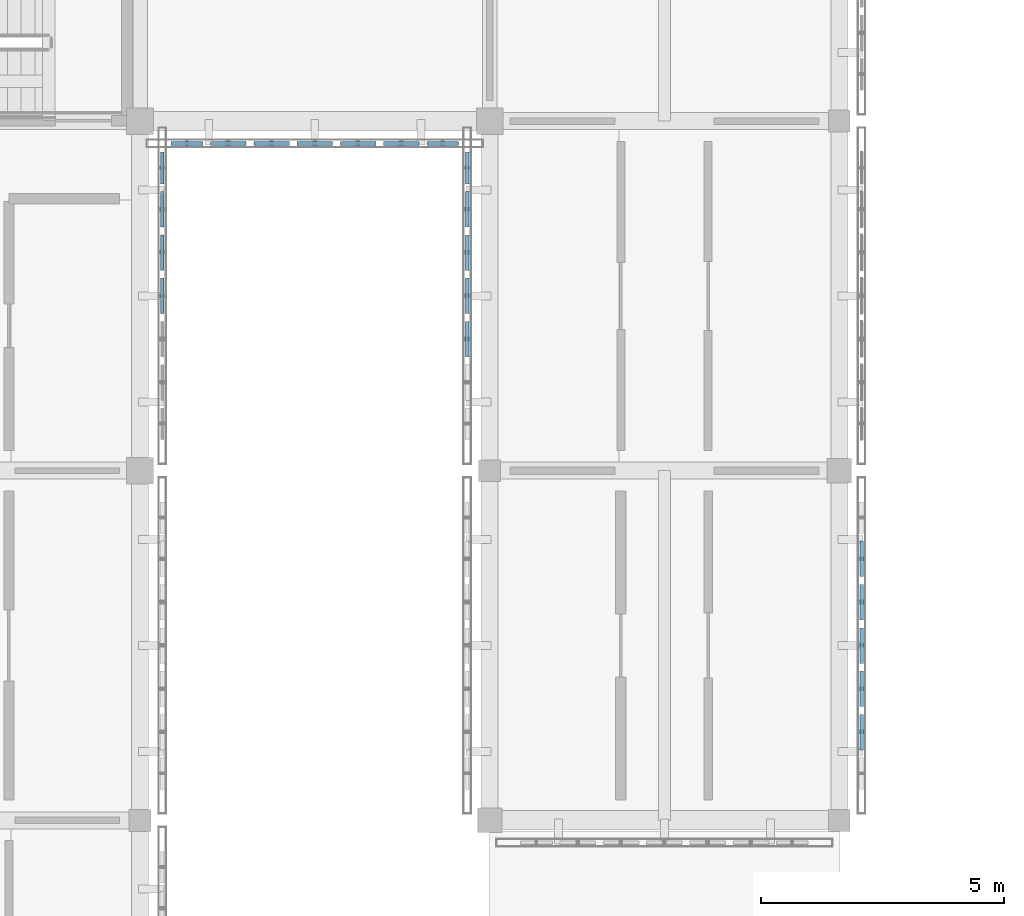
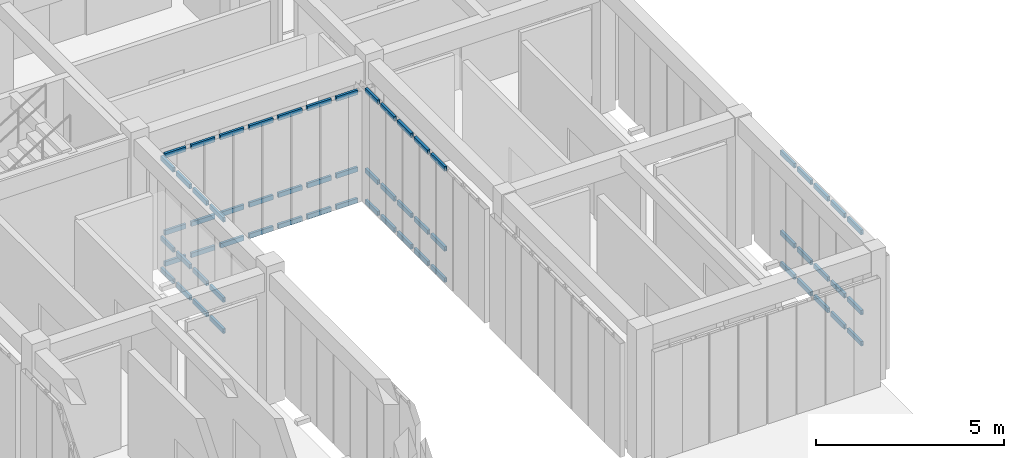
# One storey, part 19 of 91: 63 members, 4 elements without a shape of their own.
"""IFC4 building model written with IfcOpenShell, lengths in metres."""

from ifc_helpers import new_model, si_unit, direction, frame, origin, origin_2d, place, context, subcontext, project, spatial, hollow_rectangle, extrude, material, material_profile, profile_set, type_object, element, aggregate, save


model = new_model("IFC4")

# Units and contexts
model_context = context("Model", 3, precision=1e-05, world=origin(), true_north=direction((0.0, 1.0)))
body_context = subcontext(model_context, "Body", "Model", "MODEL_VIEW")
ifc_project = project(units=[si_unit("LENGTHUNIT", "METRE"), si_unit("AREAUNIT", "SQUARE_METRE"), si_unit("VOLUMEUNIT", "CUBIC_METRE"), si_unit("PLANEANGLEUNIT", "RADIAN"), si_unit("MASSUNIT", "GRAM", prefix="KILO")], contexts=[model_context])

# Site, building, storey
site_placement = place(None, origin())
site = spatial("IfcSite", under=ifc_project, at=site_placement, CompositionType="ELEMENT")
building_placement = place(site_placement, origin())
building = spatial("IfcBuilding", under=site, at=building_placement, Name="Aldebral Square Health Centre", CompositionType="ELEMENT")
storey_placement = place(building_placement, frame((0.0, 0.0, 9.0)))
storey = spatial("IfcBuildingStorey", under=building, at=storey_placement, Name="L02", CompositionType="ELEMENT", Elevation=9.0)

# Curtain wall, members
ifc_material_1 = material(Name="Aluminium and low-E solar glass", Category="aluminium")
curtain_wall_type = type_object("IfcCurtainWallType", Name="CW-FIN-SYS", PredefinedType="USERDEFINED", material=ifc_material_1)
curtain_wall_1_placement = place(storey_placement, origin())
curtain_wall_1 = element("IfcCurtainWall", 1, at=curtain_wall_1_placement, inside=storey, type_object=curtain_wall_type, Name="L02 V6 finned curtain wall L02-V6-00-03-E", ObjectType="SOLAR_CURTAIN_WALL", PredefinedType="USERDEFINED")
ifc_material_2 = material(Name="Anodised aluminium transom", Category="aluminium")
ifc_material_profile = material_profile(ifc_material_2, hollow_rectangle(XDim=0.074951171875, YDim=0.14990234375, WallThickness=0.00390625, at=origin_2d()), Name="CWT 75x150x4")
ifc_profile_set = profile_set([ifc_material_profile], Name="Anodised aluminium transom")
member_type = type_object("IfcMemberType", Name="CWT-STD", PredefinedType="USERDEFINED", material=ifc_profile_set)
member_1_placement = place(storey_placement, frame((7.659912109375, 24.834228515625, 0.03759765625), z_axis=(0.0, 1.0, 0.0), x_axis=(-1.0, 0.0, 0.0)))
member_1 = element("IfcMember", 2, at=member_1_placement, type_object=member_type, Name="CW1 transom 4.1", ObjectType="TRANSOM", PredefinedType="USERDEFINED", context=body_context, shape_type="SweptSolid", body=[
    extrude(hollow_rectangle(XDim=0.074951171875, YDim=0.14990234375, WallThickness=0.00390625, at=origin_2d()), origin(), (0.0, 0.0, 1.0), 0.7314453125),
])
member_2_placement = place(storey_placement, frame((7.659912109375, 24.834228515625, 1.050048828125), z_axis=(0.0, 1.0, 0.0), x_axis=(-1.0, 0.0, 0.0)))
member_2 = element("IfcMember", 3, at=member_2_placement, type_object=member_type, Name="CW1 transom 4.2", ObjectType="TRANSOM", PredefinedType="USERDEFINED", context=body_context, shape_type="SweptSolid", body=[
    extrude(hollow_rectangle(XDim=0.074951171875, YDim=0.14990234375, WallThickness=0.00390625, at=origin_2d()), origin(), (0.0, 0.0, 1.0), 0.7314453125),
])
member_3_placement = place(storey_placement, frame((7.659912109375, 24.834228515625, 3.652587890625), z_axis=(0.0, 1.0, 0.0), x_axis=(-1.0, 0.0, 0.0)))
member_3 = element("IfcMember", 4, at=member_3_placement, type_object=member_type, Name="CW1 transom 4.3", ObjectType="TRANSOM", PredefinedType="USERDEFINED", context=body_context, shape_type="SweptSolid", body=[
    extrude(hollow_rectangle(XDim=0.074951171875, YDim=0.14990234375, WallThickness=0.00390625, at=origin_2d()), origin(), (0.0, 0.0, 1.0), 0.7314453125),
])
member_4_placement = place(storey_placement, frame((7.659912109375, 25.725830078125, 0.03759765625), z_axis=(0.0, 1.0, 0.0), x_axis=(-1.0, 0.0, 0.0)))
member_4 = element("IfcMember", 5, at=member_4_placement, type_object=member_type, Name="CW1 transom 5.1", ObjectType="TRANSOM", PredefinedType="USERDEFINED", context=body_context, shape_type="SweptSolid", body=[
    extrude(hollow_rectangle(XDim=0.074951171875, YDim=0.14990234375, WallThickness=0.00390625, at=origin_2d()), origin(), (0.0, 0.0, 1.0), 0.731201171875),
])
member_5_placement = place(storey_placement, frame((7.659912109375, 25.725830078125, 1.050048828125), z_axis=(0.0, 1.0, 0.0), x_axis=(-1.0, 0.0, 0.0)))
member_5 = element("IfcMember", 6, at=member_5_placement, type_object=member_type, Name="CW1 transom 5.2", ObjectType="TRANSOM", PredefinedType="USERDEFINED", context=body_context, shape_type="SweptSolid", body=[
    extrude(hollow_rectangle(XDim=0.074951171875, YDim=0.14990234375, WallThickness=0.00390625, at=origin_2d()), origin(), (0.0, 0.0, 1.0), 0.731201171875),
])
member_6_placement = place(storey_placement, frame((7.659912109375, 25.725830078125, 3.652587890625), z_axis=(0.0, 1.0, 0.0), x_axis=(-1.0, 0.0, 0.0)))
member_6 = element("IfcMember", 7, at=member_6_placement, type_object=member_type, Name="CW1 transom 5.3", ObjectType="TRANSOM", PredefinedType="USERDEFINED", context=body_context, shape_type="SweptSolid", body=[
    extrude(hollow_rectangle(XDim=0.074951171875, YDim=0.14990234375, WallThickness=0.00390625, at=origin_2d()), origin(), (0.0, 0.0, 1.0), 0.731201171875),
])
member_7_placement = place(storey_placement, frame((7.659912109375, 26.6171875, 0.03759765625), z_axis=(0.0, 1.0, 0.0), x_axis=(-1.0, 0.0, 0.0)))
member_7 = element("IfcMember", 8, at=member_7_placement, type_object=member_type, Name="CW1 transom 6.1", ObjectType="TRANSOM", PredefinedType="USERDEFINED", context=body_context, shape_type="SweptSolid", body=[
    extrude(hollow_rectangle(XDim=0.074951171875, YDim=0.14990234375, WallThickness=0.00390625, at=origin_2d()), origin(), (0.0, 0.0, 1.0), 0.7314453125),
])
member_8_placement = place(storey_placement, frame((7.659912109375, 26.6171875, 1.050048828125), z_axis=(0.0, 1.0, 0.0), x_axis=(-1.0, 0.0, 0.0)))
member_8 = element("IfcMember", 9, at=member_8_placement, type_object=member_type, Name="CW1 transom 6.2", ObjectType="TRANSOM", PredefinedType="USERDEFINED", context=body_context, shape_type="SweptSolid", body=[
    extrude(hollow_rectangle(XDim=0.074951171875, YDim=0.14990234375, WallThickness=0.00390625, at=origin_2d()), origin(), (0.0, 0.0, 1.0), 0.7314453125),
])
member_9_placement = place(storey_placement, frame((7.659912109375, 26.6171875, 3.652587890625), z_axis=(0.0, 1.0, 0.0), x_axis=(-1.0, 0.0, 0.0)))
member_9 = element("IfcMember", 10, at=member_9_placement, type_object=member_type, Name="CW1 transom 6.3", ObjectType="TRANSOM", PredefinedType="USERDEFINED", context=body_context, shape_type="SweptSolid", body=[
    extrude(hollow_rectangle(XDim=0.074951171875, YDim=0.14990234375, WallThickness=0.00390625, at=origin_2d()), origin(), (0.0, 0.0, 1.0), 0.7314453125),
])
member_10_placement = place(storey_placement, frame((7.659912109375, 27.508544921875, 0.03759765625), z_axis=(0.0, 1.0, 0.0), x_axis=(-1.0, 0.0, 0.0)))
member_10 = element("IfcMember", 11, at=member_10_placement, type_object=member_type, Name="CW1 transom 7.1", ObjectType="TRANSOM", PredefinedType="USERDEFINED", context=body_context, shape_type="SweptSolid", body=[
    extrude(hollow_rectangle(XDim=0.074951171875, YDim=0.14990234375, WallThickness=0.00390625, at=origin_2d()), origin(), (0.0, 0.0, 1.0), 0.6513671875),
])
member_11_placement = place(storey_placement, frame((7.659912109375, 27.508544921875, 1.050048828125), z_axis=(0.0, 1.0, 0.0), x_axis=(-1.0, 0.0, 0.0)))
member_11 = element("IfcMember", 12, at=member_11_placement, type_object=member_type, Name="CW1 transom 7.2", ObjectType="TRANSOM", PredefinedType="USERDEFINED", context=body_context, shape_type="SweptSolid", body=[
    extrude(hollow_rectangle(XDim=0.074951171875, YDim=0.14990234375, WallThickness=0.00390625, at=origin_2d()), origin(), (0.0, 0.0, 1.0), 0.6513671875),
])
member_12_placement = place(storey_placement, frame((7.659912109375, 27.508544921875, 3.652587890625), z_axis=(0.0, 1.0, 0.0), x_axis=(-1.0, 0.0, 0.0)))
member_12 = element("IfcMember", 13, at=member_12_placement, type_object=member_type, Name="CW1 transom 7.3", ObjectType="TRANSOM", PredefinedType="USERDEFINED", context=body_context, shape_type="SweptSolid", body=[
    extrude(hollow_rectangle(XDim=0.074951171875, YDim=0.14990234375, WallThickness=0.00390625, at=origin_2d()), origin(), (0.0, 0.0, 1.0), 0.6513671875),
])
aggregate(curtain_wall_1, [member_1, member_2, member_3, member_4, member_5, member_6, member_7, member_8, member_9, member_10, member_11, member_12])

curtain_wall_2_placement = place(storey_placement, origin())
curtain_wall_2 = element("IfcCurtainWall", 14, at=curtain_wall_2_placement, inside=storey, type_object=curtain_wall_type, Name="L02 V6 finned curtain wall L02-V6-01-04-S", ObjectType="SOLAR_CURTAIN_WALL", PredefinedType="USERDEFINED")
member_13_placement = place(storey_placement, frame((7.840087890625, 28.340087890625, 0.03759765625), z_axis=(1.0, 0.0, 0.0), x_axis=(0.0, 1.0, 0.0)))
member_13 = element("IfcMember", 15, at=member_13_placement, type_object=member_type, Name="CW1 transom 1.1", ObjectType="TRANSOM", PredefinedType="USERDEFINED", context=body_context, shape_type="SweptSolid", body=[
    extrude(hollow_rectangle(XDim=0.074951171875, YDim=0.14990234375, WallThickness=0.00390625, at=origin_2d()), origin(), (0.0, 0.0, 1.0), 0.6513671875),
])
member_14_placement = place(storey_placement, frame((7.840087890625, 28.340087890625, 1.050048828125), z_axis=(1.0, 0.0, 0.0), x_axis=(0.0, 1.0, 0.0)))
member_14 = element("IfcMember", 16, at=member_14_placement, type_object=member_type, Name="CW1 transom 1.2", ObjectType="TRANSOM", PredefinedType="USERDEFINED", context=body_context, shape_type="SweptSolid", body=[
    extrude(hollow_rectangle(XDim=0.074951171875, YDim=0.14990234375, WallThickness=0.00390625, at=origin_2d()), origin(), (0.0, 0.0, 1.0), 0.6513671875),
])
member_15_placement = place(storey_placement, frame((7.840087890625, 28.340087890625, 3.552490234375), z_axis=(1.0, 0.0, 0.0), x_axis=(0.0, 1.0, 0.0)))
member_15 = element("IfcMember", 17, at=member_15_placement, type_object=member_type, Name="CW1 transom 1.3", ObjectType="TRANSOM", PredefinedType="USERDEFINED", context=body_context, shape_type="SweptSolid", body=[
    extrude(hollow_rectangle(XDim=0.074951171875, YDim=0.14990234375, WallThickness=0.00390625, at=origin_2d()), origin(), (0.0, 0.0, 1.0), 0.6513671875),
])
member_16_placement = place(storey_placement, frame((8.6513671875, 28.340087890625, 0.03759765625), z_axis=(1.0, 0.0, 0.0), x_axis=(0.0, 1.0, 0.0)))
member_16 = element("IfcMember", 18, at=member_16_placement, type_object=member_type, Name="CW1 transom 2.1", ObjectType="TRANSOM", PredefinedType="USERDEFINED", context=body_context, shape_type="SweptSolid", body=[
    extrude(hollow_rectangle(XDim=0.074951171875, YDim=0.14990234375, WallThickness=0.00390625, at=origin_2d()), origin(), (0.0, 0.0, 1.0), 0.7314453125),
])
member_17_placement = place(storey_placement, frame((8.6513671875, 28.340087890625, 1.050048828125), z_axis=(1.0, 0.0, 0.0), x_axis=(0.0, 1.0, 0.0)))
member_17 = element("IfcMember", 19, at=member_17_placement, type_object=member_type, Name="CW1 transom 2.2", ObjectType="TRANSOM", PredefinedType="USERDEFINED", context=body_context, shape_type="SweptSolid", body=[
    extrude(hollow_rectangle(XDim=0.074951171875, YDim=0.14990234375, WallThickness=0.00390625, at=origin_2d()), origin(), (0.0, 0.0, 1.0), 0.7314453125),
])
member_18_placement = place(storey_placement, frame((8.6513671875, 28.340087890625, 3.552490234375), z_axis=(1.0, 0.0, 0.0), x_axis=(0.0, 1.0, 0.0)))
member_18 = element("IfcMember", 20, at=member_18_placement, type_object=member_type, Name="CW1 transom 2.3", ObjectType="TRANSOM", PredefinedType="USERDEFINED", context=body_context, shape_type="SweptSolid", body=[
    extrude(hollow_rectangle(XDim=0.074951171875, YDim=0.14990234375, WallThickness=0.00390625, at=origin_2d()), origin(), (0.0, 0.0, 1.0), 0.7314453125),
])
member_19_placement = place(storey_placement, frame((9.54296875, 28.340087890625, 0.03759765625), z_axis=(1.0, 0.0, 0.0), x_axis=(0.0, 1.0, 0.0)))
member_19 = element("IfcMember", 21, at=member_19_placement, type_object=member_type, Name="CW1 transom 3.1", ObjectType="TRANSOM", PredefinedType="USERDEFINED", context=body_context, shape_type="SweptSolid", body=[
    extrude(hollow_rectangle(XDim=0.074951171875, YDim=0.14990234375, WallThickness=0.00390625, at=origin_2d()), origin(), (0.0, 0.0, 1.0), 0.731201171875),
])
member_20_placement = place(storey_placement, frame((9.54296875, 28.340087890625, 1.050048828125), z_axis=(1.0, 0.0, 0.0), x_axis=(0.0, 1.0, 0.0)))
member_20 = element("IfcMember", 22, at=member_20_placement, type_object=member_type, Name="CW1 transom 3.2", ObjectType="TRANSOM", PredefinedType="USERDEFINED", context=body_context, shape_type="SweptSolid", body=[
    extrude(hollow_rectangle(XDim=0.074951171875, YDim=0.14990234375, WallThickness=0.00390625, at=origin_2d()), origin(), (0.0, 0.0, 1.0), 0.731201171875),
])
member_21_placement = place(storey_placement, frame((9.54296875, 28.340087890625, 3.552490234375), z_axis=(1.0, 0.0, 0.0), x_axis=(0.0, 1.0, 0.0)))
member_21 = element("IfcMember", 23, at=member_21_placement, type_object=member_type, Name="CW1 transom 3.3", ObjectType="TRANSOM", PredefinedType="USERDEFINED", context=body_context, shape_type="SweptSolid", body=[
    extrude(hollow_rectangle(XDim=0.074951171875, YDim=0.14990234375, WallThickness=0.00390625, at=origin_2d()), origin(), (0.0, 0.0, 1.0), 0.731201171875),
])
member_22_placement = place(storey_placement, frame((10.434326171875, 28.340087890625, 0.03759765625), z_axis=(1.0, 0.0, 0.0), x_axis=(0.0, 1.0, 0.0)))
member_22 = element("IfcMember", 24, at=member_22_placement, type_object=member_type, Name="CW1 transom 4.1", ObjectType="TRANSOM", PredefinedType="USERDEFINED", context=body_context, shape_type="SweptSolid", body=[
    extrude(hollow_rectangle(XDim=0.074951171875, YDim=0.14990234375, WallThickness=0.00390625, at=origin_2d()), origin(), (0.0, 0.0, 1.0), 0.7314453125),
])
member_23_placement = place(storey_placement, frame((10.434326171875, 28.340087890625, 1.050048828125), z_axis=(1.0, 0.0, 0.0), x_axis=(0.0, 1.0, 0.0)))
member_23 = element("IfcMember", 25, at=member_23_placement, type_object=member_type, Name="CW1 transom 4.2", ObjectType="TRANSOM", PredefinedType="USERDEFINED", context=body_context, shape_type="SweptSolid", body=[
    extrude(hollow_rectangle(XDim=0.074951171875, YDim=0.14990234375, WallThickness=0.00390625, at=origin_2d()), origin(), (0.0, 0.0, 1.0), 0.7314453125),
])
member_24_placement = place(storey_placement, frame((10.434326171875, 28.340087890625, 3.552490234375), z_axis=(1.0, 0.0, 0.0), x_axis=(0.0, 1.0, 0.0)))
member_24 = element("IfcMember", 26, at=member_24_placement, type_object=member_type, Name="CW1 transom 4.3", ObjectType="TRANSOM", PredefinedType="USERDEFINED", context=body_context, shape_type="SweptSolid", body=[
    extrude(hollow_rectangle(XDim=0.074951171875, YDim=0.14990234375, WallThickness=0.00390625, at=origin_2d()), origin(), (0.0, 0.0, 1.0), 0.7314453125),
])
member_25_placement = place(storey_placement, frame((11.32568359375, 28.340087890625, 0.03759765625), z_axis=(1.0, 0.0, 0.0), x_axis=(0.0, 1.0, 0.0)))
member_25 = element("IfcMember", 27, at=member_25_placement, type_object=member_type, Name="CW1 transom 5.1", ObjectType="TRANSOM", PredefinedType="USERDEFINED", context=body_context, shape_type="SweptSolid", body=[
    extrude(hollow_rectangle(XDim=0.074951171875, YDim=0.14990234375, WallThickness=0.00390625, at=origin_2d()), origin(), (0.0, 0.0, 1.0), 0.7314453125),
])
member_26_placement = place(storey_placement, frame((11.32568359375, 28.340087890625, 1.050048828125), z_axis=(1.0, 0.0, 0.0), x_axis=(0.0, 1.0, 0.0)))
member_26 = element("IfcMember", 28, at=member_26_placement, type_object=member_type, Name="CW1 transom 5.2", ObjectType="TRANSOM", PredefinedType="USERDEFINED", context=body_context, shape_type="SweptSolid", body=[
    extrude(hollow_rectangle(XDim=0.074951171875, YDim=0.14990234375, WallThickness=0.00390625, at=origin_2d()), origin(), (0.0, 0.0, 1.0), 0.7314453125),
])
member_27_placement = place(storey_placement, frame((11.32568359375, 28.340087890625, 3.552490234375), z_axis=(1.0, 0.0, 0.0), x_axis=(0.0, 1.0, 0.0)))
member_27 = element("IfcMember", 29, at=member_27_placement, type_object=member_type, Name="CW1 transom 5.3", ObjectType="TRANSOM", PredefinedType="USERDEFINED", context=body_context, shape_type="SweptSolid", body=[
    extrude(hollow_rectangle(XDim=0.074951171875, YDim=0.14990234375, WallThickness=0.00390625, at=origin_2d()), origin(), (0.0, 0.0, 1.0), 0.7314453125),
])
member_28_placement = place(storey_placement, frame((12.217041015625, 28.340087890625, 0.03759765625), z_axis=(1.0, 0.0, 0.0), x_axis=(0.0, 1.0, 0.0)))
member_28 = element("IfcMember", 30, at=member_28_placement, type_object=member_type, Name="CW1 transom 6.1", ObjectType="TRANSOM", PredefinedType="USERDEFINED", context=body_context, shape_type="SweptSolid", body=[
    extrude(hollow_rectangle(XDim=0.074951171875, YDim=0.14990234375, WallThickness=0.00390625, at=origin_2d()), origin(), (0.0, 0.0, 1.0), 0.7314453125),
])
member_29_placement = place(storey_placement, frame((12.217041015625, 28.340087890625, 1.050048828125), z_axis=(1.0, 0.0, 0.0), x_axis=(0.0, 1.0, 0.0)))
member_29 = element("IfcMember", 31, at=member_29_placement, type_object=member_type, Name="CW1 transom 6.2", ObjectType="TRANSOM", PredefinedType="USERDEFINED", context=body_context, shape_type="SweptSolid", body=[
    extrude(hollow_rectangle(XDim=0.074951171875, YDim=0.14990234375, WallThickness=0.00390625, at=origin_2d()), origin(), (0.0, 0.0, 1.0), 0.7314453125),
])
member_30_placement = place(storey_placement, frame((12.217041015625, 28.340087890625, 3.552490234375), z_axis=(1.0, 0.0, 0.0), x_axis=(0.0, 1.0, 0.0)))
member_30 = element("IfcMember", 32, at=member_30_placement, type_object=member_type, Name="CW1 transom 6.3", ObjectType="TRANSOM", PredefinedType="USERDEFINED", context=body_context, shape_type="SweptSolid", body=[
    extrude(hollow_rectangle(XDim=0.074951171875, YDim=0.14990234375, WallThickness=0.00390625, at=origin_2d()), origin(), (0.0, 0.0, 1.0), 0.7314453125),
])
member_31_placement = place(storey_placement, frame((13.108642578125, 28.340087890625, 0.03759765625), z_axis=(1.0, 0.0, 0.0), x_axis=(0.0, 1.0, 0.0)))
member_31 = element("IfcMember", 33, at=member_31_placement, type_object=member_type, Name="CW1 transom 7.1", ObjectType="TRANSOM", PredefinedType="USERDEFINED", context=body_context, shape_type="SweptSolid", body=[
    extrude(hollow_rectangle(XDim=0.074951171875, YDim=0.14990234375, WallThickness=0.00390625, at=origin_2d()), origin(), (0.0, 0.0, 1.0), 0.6513671875),
])
member_32_placement = place(storey_placement, frame((13.108642578125, 28.340087890625, 1.050048828125), z_axis=(1.0, 0.0, 0.0), x_axis=(0.0, 1.0, 0.0)))
member_32 = element("IfcMember", 34, at=member_32_placement, type_object=member_type, Name="CW1 transom 7.2", ObjectType="TRANSOM", PredefinedType="USERDEFINED", context=body_context, shape_type="SweptSolid", body=[
    extrude(hollow_rectangle(XDim=0.074951171875, YDim=0.14990234375, WallThickness=0.00390625, at=origin_2d()), origin(), (0.0, 0.0, 1.0), 0.6513671875),
])
member_33_placement = place(storey_placement, frame((13.108642578125, 28.340087890625, 3.552490234375), z_axis=(1.0, 0.0, 0.0), x_axis=(0.0, 1.0, 0.0)))
member_33 = element("IfcMember", 35, at=member_33_placement, type_object=member_type, Name="CW1 transom 7.3", ObjectType="TRANSOM", PredefinedType="USERDEFINED", context=body_context, shape_type="SweptSolid", body=[
    extrude(hollow_rectangle(XDim=0.074951171875, YDim=0.14990234375, WallThickness=0.00390625, at=origin_2d()), origin(), (0.0, 0.0, 1.0), 0.6513671875),
])
aggregate(curtain_wall_2, [member_13, member_14, member_15, member_16, member_17, member_18, member_19, member_20, member_21, member_22, member_23, member_24, member_25, member_26, member_27, member_28, member_29, member_30, member_31, member_32, member_33])

curtain_wall_3_placement = place(storey_placement, origin())
curtain_wall_3 = element("IfcCurtainWall", 36, at=curtain_wall_3_placement, inside=storey, type_object=curtain_wall_type, Name="L02 V6 finned curtain wall L02-V6-02-02-E", ObjectType="SOLAR_CURTAIN_WALL", PredefinedType="USERDEFINED")
member_34_placement = place(storey_placement, frame((22.06005859375, 15.851318359375, 0.03759765625), z_axis=(0.0, 1.0, 0.0), x_axis=(-1.0, 0.0, 0.0)))
member_34 = element("IfcMember", 37, at=member_34_placement, type_object=member_type, Name="CW1 transom 2.1", ObjectType="TRANSOM", PredefinedType="USERDEFINED", context=body_context, shape_type="SweptSolid", body=[
    extrude(hollow_rectangle(XDim=0.074951171875, YDim=0.14990234375, WallThickness=0.00390625, at=origin_2d()), origin(), (0.0, 0.0, 1.0), 0.7314453125),
])
member_35_placement = place(storey_placement, frame((22.06005859375, 15.851318359375, 1.050048828125), z_axis=(0.0, 1.0, 0.0), x_axis=(-1.0, 0.0, 0.0)))
member_35 = element("IfcMember", 38, at=member_35_placement, type_object=member_type, Name="CW1 transom 2.2", ObjectType="TRANSOM", PredefinedType="USERDEFINED", context=body_context, shape_type="SweptSolid", body=[
    extrude(hollow_rectangle(XDim=0.074951171875, YDim=0.14990234375, WallThickness=0.00390625, at=origin_2d()), origin(), (0.0, 0.0, 1.0), 0.7314453125),
])
member_36_placement = place(storey_placement, frame((22.06005859375, 15.851318359375, 3.652587890625), z_axis=(0.0, 1.0, 0.0), x_axis=(-1.0, 0.0, 0.0)))
member_36 = element("IfcMember", 39, at=member_36_placement, type_object=member_type, Name="CW1 transom 2.3", ObjectType="TRANSOM", PredefinedType="USERDEFINED", context=body_context, shape_type="SweptSolid", body=[
    extrude(hollow_rectangle(XDim=0.074951171875, YDim=0.14990234375, WallThickness=0.00390625, at=origin_2d()), origin(), (0.0, 0.0, 1.0), 0.7314453125),
])
member_37_placement = place(storey_placement, frame((22.06005859375, 16.742919921875, 0.03759765625), z_axis=(0.0, 1.0, 0.0), x_axis=(-1.0, 0.0, 0.0)))
member_37 = element("IfcMember", 40, at=member_37_placement, type_object=member_type, Name="CW1 transom 3.1", ObjectType="TRANSOM", PredefinedType="USERDEFINED", context=body_context, shape_type="SweptSolid", body=[
    extrude(hollow_rectangle(XDim=0.074951171875, YDim=0.14990234375, WallThickness=0.00390625, at=origin_2d()), origin(), (0.0, 0.0, 1.0), 0.7314453125),
])
member_38_placement = place(storey_placement, frame((22.06005859375, 16.742919921875, 1.050048828125), z_axis=(0.0, 1.0, 0.0), x_axis=(-1.0, 0.0, 0.0)))
member_38 = element("IfcMember", 41, at=member_38_placement, type_object=member_type, Name="CW1 transom 3.2", ObjectType="TRANSOM", PredefinedType="USERDEFINED", context=body_context, shape_type="SweptSolid", body=[
    extrude(hollow_rectangle(XDim=0.074951171875, YDim=0.14990234375, WallThickness=0.00390625, at=origin_2d()), origin(), (0.0, 0.0, 1.0), 0.7314453125),
])
member_39_placement = place(storey_placement, frame((22.06005859375, 16.742919921875, 3.652587890625), z_axis=(0.0, 1.0, 0.0), x_axis=(-1.0, 0.0, 0.0)))
member_39 = element("IfcMember", 42, at=member_39_placement, type_object=member_type, Name="CW1 transom 3.3", ObjectType="TRANSOM", PredefinedType="USERDEFINED", context=body_context, shape_type="SweptSolid", body=[
    extrude(hollow_rectangle(XDim=0.074951171875, YDim=0.14990234375, WallThickness=0.00390625, at=origin_2d()), origin(), (0.0, 0.0, 1.0), 0.7314453125),
])
member_40_placement = place(storey_placement, frame((22.06005859375, 17.63427734375, 0.03759765625), z_axis=(0.0, 1.0, 0.0), x_axis=(-1.0, 0.0, 0.0)))
member_40 = element("IfcMember", 43, at=member_40_placement, type_object=member_type, Name="CW1 transom 4.1", ObjectType="TRANSOM", PredefinedType="USERDEFINED", context=body_context, shape_type="SweptSolid", body=[
    extrude(hollow_rectangle(XDim=0.074951171875, YDim=0.14990234375, WallThickness=0.00390625, at=origin_2d()), origin(), (0.0, 0.0, 1.0), 0.7314453125),
])
member_41_placement = place(storey_placement, frame((22.06005859375, 17.63427734375, 1.050048828125), z_axis=(0.0, 1.0, 0.0), x_axis=(-1.0, 0.0, 0.0)))
member_41 = element("IfcMember", 44, at=member_41_placement, type_object=member_type, Name="CW1 transom 4.2", ObjectType="TRANSOM", PredefinedType="USERDEFINED", context=body_context, shape_type="SweptSolid", body=[
    extrude(hollow_rectangle(XDim=0.074951171875, YDim=0.14990234375, WallThickness=0.00390625, at=origin_2d()), origin(), (0.0, 0.0, 1.0), 0.7314453125),
])
member_42_placement = place(storey_placement, frame((22.06005859375, 17.63427734375, 3.652587890625), z_axis=(0.0, 1.0, 0.0), x_axis=(-1.0, 0.0, 0.0)))
member_42 = element("IfcMember", 45, at=member_42_placement, type_object=member_type, Name="CW1 transom 4.3", ObjectType="TRANSOM", PredefinedType="USERDEFINED", context=body_context, shape_type="SweptSolid", body=[
    extrude(hollow_rectangle(XDim=0.074951171875, YDim=0.14990234375, WallThickness=0.00390625, at=origin_2d()), origin(), (0.0, 0.0, 1.0), 0.7314453125),
])
member_43_placement = place(storey_placement, frame((22.06005859375, 18.525634765625, 0.03759765625), z_axis=(0.0, 1.0, 0.0), x_axis=(-1.0, 0.0, 0.0)))
member_43 = element("IfcMember", 46, at=member_43_placement, type_object=member_type, Name="CW1 transom 5.1", ObjectType="TRANSOM", PredefinedType="USERDEFINED", context=body_context, shape_type="SweptSolid", body=[
    extrude(hollow_rectangle(XDim=0.074951171875, YDim=0.14990234375, WallThickness=0.00390625, at=origin_2d()), origin(), (0.0, 0.0, 1.0), 0.7314453125),
])
member_44_placement = place(storey_placement, frame((22.06005859375, 18.525634765625, 1.050048828125), z_axis=(0.0, 1.0, 0.0), x_axis=(-1.0, 0.0, 0.0)))
member_44 = element("IfcMember", 47, at=member_44_placement, type_object=member_type, Name="CW1 transom 5.2", ObjectType="TRANSOM", PredefinedType="USERDEFINED", context=body_context, shape_type="SweptSolid", body=[
    extrude(hollow_rectangle(XDim=0.074951171875, YDim=0.14990234375, WallThickness=0.00390625, at=origin_2d()), origin(), (0.0, 0.0, 1.0), 0.7314453125),
])
member_45_placement = place(storey_placement, frame((22.06005859375, 18.525634765625, 3.652587890625), z_axis=(0.0, 1.0, 0.0), x_axis=(-1.0, 0.0, 0.0)))
member_45 = element("IfcMember", 48, at=member_45_placement, type_object=member_type, Name="CW1 transom 5.3", ObjectType="TRANSOM", PredefinedType="USERDEFINED", context=body_context, shape_type="SweptSolid", body=[
    extrude(hollow_rectangle(XDim=0.074951171875, YDim=0.14990234375, WallThickness=0.00390625, at=origin_2d()), origin(), (0.0, 0.0, 1.0), 0.7314453125),
])
member_46_placement = place(storey_placement, frame((22.06005859375, 19.417236328125, 0.03759765625), z_axis=(0.0, 1.0, 0.0), x_axis=(-1.0, 0.0, 0.0)))
member_46 = element("IfcMember", 49, at=member_46_placement, type_object=member_type, Name="CW1 transom 6.1", ObjectType="TRANSOM", PredefinedType="USERDEFINED", context=body_context, shape_type="SweptSolid", body=[
    extrude(hollow_rectangle(XDim=0.074951171875, YDim=0.14990234375, WallThickness=0.00390625, at=origin_2d()), origin(), (0.0, 0.0, 1.0), 0.7314453125),
])
member_47_placement = place(storey_placement, frame((22.06005859375, 19.417236328125, 1.050048828125), z_axis=(0.0, 1.0, 0.0), x_axis=(-1.0, 0.0, 0.0)))
member_47 = element("IfcMember", 50, at=member_47_placement, type_object=member_type, Name="CW1 transom 6.2", ObjectType="TRANSOM", PredefinedType="USERDEFINED", context=body_context, shape_type="SweptSolid", body=[
    extrude(hollow_rectangle(XDim=0.074951171875, YDim=0.14990234375, WallThickness=0.00390625, at=origin_2d()), origin(), (0.0, 0.0, 1.0), 0.7314453125),
])
member_48_placement = place(storey_placement, frame((22.06005859375, 19.417236328125, 3.652587890625), z_axis=(0.0, 1.0, 0.0), x_axis=(-1.0, 0.0, 0.0)))
member_48 = element("IfcMember", 51, at=member_48_placement, type_object=member_type, Name="CW1 transom 6.3", ObjectType="TRANSOM", PredefinedType="USERDEFINED", context=body_context, shape_type="SweptSolid", body=[
    extrude(hollow_rectangle(XDim=0.074951171875, YDim=0.14990234375, WallThickness=0.00390625, at=origin_2d()), origin(), (0.0, 0.0, 1.0), 0.7314453125),
])
aggregate(curtain_wall_3, [member_34, member_35, member_36, member_37, member_38, member_39, member_40, member_41, member_42, member_43, member_44, member_45, member_46, member_47, member_48])

curtain_wall_4_placement = place(storey_placement, origin())
curtain_wall_4 = element("IfcCurtainWall", 52, at=curtain_wall_4_placement, inside=storey, type_object=curtain_wall_type, Name="L02 V6 finned curtain wall L02-V6-02-03-W", ObjectType="SOLAR_CURTAIN_WALL", PredefinedType="USERDEFINED")
member_49_placement = place(storey_placement, frame((13.93994140625, 28.159912109375, 0.03759765625), z_axis=(0.0, -1.0, 0.0), x_axis=(1.0, 0.0, 0.0)))
member_49 = element("IfcMember", 53, at=member_49_placement, type_object=member_type, Name="CW1 transom 1.1", ObjectType="TRANSOM", PredefinedType="USERDEFINED", context=body_context, shape_type="SweptSolid", body=[
    extrude(hollow_rectangle(XDim=0.074951171875, YDim=0.14990234375, WallThickness=0.00390625, at=origin_2d()), origin(), (0.0, 0.0, 1.0), 0.6513671875),
])
member_50_placement = place(storey_placement, frame((13.93994140625, 28.159912109375, 1.050048828125), z_axis=(0.0, -1.0, 0.0), x_axis=(1.0, 0.0, 0.0)))
member_50 = element("IfcMember", 54, at=member_50_placement, type_object=member_type, Name="CW1 transom 1.2", ObjectType="TRANSOM", PredefinedType="USERDEFINED", context=body_context, shape_type="SweptSolid", body=[
    extrude(hollow_rectangle(XDim=0.074951171875, YDim=0.14990234375, WallThickness=0.00390625, at=origin_2d()), origin(), (0.0, 0.0, 1.0), 0.6513671875),
])
member_51_placement = place(storey_placement, frame((13.93994140625, 28.159912109375, 3.652587890625), z_axis=(0.0, -1.0, 0.0), x_axis=(1.0, 0.0, 0.0)))
member_51 = element("IfcMember", 55, at=member_51_placement, type_object=member_type, Name="CW1 transom 1.3", ObjectType="TRANSOM", PredefinedType="USERDEFINED", context=body_context, shape_type="SweptSolid", body=[
    extrude(hollow_rectangle(XDim=0.074951171875, YDim=0.14990234375, WallThickness=0.00390625, at=origin_2d()), origin(), (0.0, 0.0, 1.0), 0.6513671875),
])
member_52_placement = place(storey_placement, frame((13.93994140625, 27.3486328125, 0.03759765625), z_axis=(0.0, -1.0, 0.0), x_axis=(1.0, 0.0, 0.0)))
member_52 = element("IfcMember", 56, at=member_52_placement, type_object=member_type, Name="CW1 transom 2.1", ObjectType="TRANSOM", PredefinedType="USERDEFINED", context=body_context, shape_type="SweptSolid", body=[
    extrude(hollow_rectangle(XDim=0.074951171875, YDim=0.14990234375, WallThickness=0.00390625, at=origin_2d()), origin(), (0.0, 0.0, 1.0), 0.7314453125),
])
member_53_placement = place(storey_placement, frame((13.93994140625, 27.3486328125, 1.050048828125), z_axis=(0.0, -1.0, 0.0), x_axis=(1.0, 0.0, 0.0)))
member_53 = element("IfcMember", 57, at=member_53_placement, type_object=member_type, Name="CW1 transom 2.2", ObjectType="TRANSOM", PredefinedType="USERDEFINED", context=body_context, shape_type="SweptSolid", body=[
    extrude(hollow_rectangle(XDim=0.074951171875, YDim=0.14990234375, WallThickness=0.00390625, at=origin_2d()), origin(), (0.0, 0.0, 1.0), 0.7314453125),
])
member_54_placement = place(storey_placement, frame((13.93994140625, 27.3486328125, 3.652587890625), z_axis=(0.0, -1.0, 0.0), x_axis=(1.0, 0.0, 0.0)))
member_54 = element("IfcMember", 58, at=member_54_placement, type_object=member_type, Name="CW1 transom 2.3", ObjectType="TRANSOM", PredefinedType="USERDEFINED", context=body_context, shape_type="SweptSolid", body=[
    extrude(hollow_rectangle(XDim=0.074951171875, YDim=0.14990234375, WallThickness=0.00390625, at=origin_2d()), origin(), (0.0, 0.0, 1.0), 0.7314453125),
])
member_55_placement = place(storey_placement, frame((13.93994140625, 26.45703125, 0.03759765625), z_axis=(0.0, -1.0, 0.0), x_axis=(1.0, 0.0, 0.0)))
member_55 = element("IfcMember", 59, at=member_55_placement, type_object=member_type, Name="CW1 transom 3.1", ObjectType="TRANSOM", PredefinedType="USERDEFINED", context=body_context, shape_type="SweptSolid", body=[
    extrude(hollow_rectangle(XDim=0.074951171875, YDim=0.14990234375, WallThickness=0.00390625, at=origin_2d()), origin(), (0.0, 0.0, 1.0), 0.731201171875),
])
member_56_placement = place(storey_placement, frame((13.93994140625, 26.45703125, 1.050048828125), z_axis=(0.0, -1.0, 0.0), x_axis=(1.0, 0.0, 0.0)))
member_56 = element("IfcMember", 60, at=member_56_placement, type_object=member_type, Name="CW1 transom 3.2", ObjectType="TRANSOM", PredefinedType="USERDEFINED", context=body_context, shape_type="SweptSolid", body=[
    extrude(hollow_rectangle(XDim=0.074951171875, YDim=0.14990234375, WallThickness=0.00390625, at=origin_2d()), origin(), (0.0, 0.0, 1.0), 0.731201171875),
])
member_57_placement = place(storey_placement, frame((13.93994140625, 26.45703125, 3.652587890625), z_axis=(0.0, -1.0, 0.0), x_axis=(1.0, 0.0, 0.0)))
member_57 = element("IfcMember", 61, at=member_57_placement, type_object=member_type, Name="CW1 transom 3.3", ObjectType="TRANSOM", PredefinedType="USERDEFINED", context=body_context, shape_type="SweptSolid", body=[
    extrude(hollow_rectangle(XDim=0.074951171875, YDim=0.14990234375, WallThickness=0.00390625, at=origin_2d()), origin(), (0.0, 0.0, 1.0), 0.731201171875),
])
member_58_placement = place(storey_placement, frame((13.93994140625, 25.565673828125, 0.03759765625), z_axis=(0.0, -1.0, 0.0), x_axis=(1.0, 0.0, 0.0)))
member_58 = element("IfcMember", 62, at=member_58_placement, type_object=member_type, Name="CW1 transom 4.1", ObjectType="TRANSOM", PredefinedType="USERDEFINED", context=body_context, shape_type="SweptSolid", body=[
    extrude(hollow_rectangle(XDim=0.074951171875, YDim=0.14990234375, WallThickness=0.00390625, at=origin_2d()), origin(), (0.0, 0.0, 1.0), 0.7314453125),
])
member_59_placement = place(storey_placement, frame((13.93994140625, 25.565673828125, 1.050048828125), z_axis=(0.0, -1.0, 0.0), x_axis=(1.0, 0.0, 0.0)))
member_59 = element("IfcMember", 63, at=member_59_placement, type_object=member_type, Name="CW1 transom 4.2", ObjectType="TRANSOM", PredefinedType="USERDEFINED", context=body_context, shape_type="SweptSolid", body=[
    extrude(hollow_rectangle(XDim=0.074951171875, YDim=0.14990234375, WallThickness=0.00390625, at=origin_2d()), origin(), (0.0, 0.0, 1.0), 0.7314453125),
])
member_60_placement = place(storey_placement, frame((13.93994140625, 25.565673828125, 3.652587890625), z_axis=(0.0, -1.0, 0.0), x_axis=(1.0, 0.0, 0.0)))
member_60 = element("IfcMember", 64, at=member_60_placement, type_object=member_type, Name="CW1 transom 4.3", ObjectType="TRANSOM", PredefinedType="USERDEFINED", context=body_context, shape_type="SweptSolid", body=[
    extrude(hollow_rectangle(XDim=0.074951171875, YDim=0.14990234375, WallThickness=0.00390625, at=origin_2d()), origin(), (0.0, 0.0, 1.0), 0.7314453125),
])
member_61_placement = place(storey_placement, frame((13.93994140625, 24.67431640625, 0.03759765625), z_axis=(0.0, -1.0, 0.0), x_axis=(1.0, 0.0, 0.0)))
member_61 = element("IfcMember", 65, at=member_61_placement, type_object=member_type, Name="CW1 transom 5.1", ObjectType="TRANSOM", PredefinedType="USERDEFINED", context=body_context, shape_type="SweptSolid", body=[
    extrude(hollow_rectangle(XDim=0.074951171875, YDim=0.14990234375, WallThickness=0.00390625, at=origin_2d()), origin(), (0.0, 0.0, 1.0), 0.7314453125),
])
member_62_placement = place(storey_placement, frame((13.93994140625, 24.67431640625, 1.050048828125), z_axis=(0.0, -1.0, 0.0), x_axis=(1.0, 0.0, 0.0)))
member_62 = element("IfcMember", 66, at=member_62_placement, type_object=member_type, Name="CW1 transom 5.2", ObjectType="TRANSOM", PredefinedType="USERDEFINED", context=body_context, shape_type="SweptSolid", body=[
    extrude(hollow_rectangle(XDim=0.074951171875, YDim=0.14990234375, WallThickness=0.00390625, at=origin_2d()), origin(), (0.0, 0.0, 1.0), 0.7314453125),
])
member_63_placement = place(storey_placement, frame((13.93994140625, 24.67431640625, 3.652587890625), z_axis=(0.0, -1.0, 0.0), x_axis=(1.0, 0.0, 0.0)))
member_63 = element("IfcMember", 67, at=member_63_placement, type_object=member_type, Name="CW1 transom 5.3", ObjectType="TRANSOM", PredefinedType="USERDEFINED", context=body_context, shape_type="SweptSolid", body=[
    extrude(hollow_rectangle(XDim=0.074951171875, YDim=0.14990234375, WallThickness=0.00390625, at=origin_2d()), origin(), (0.0, 0.0, 1.0), 0.7314453125),
])
aggregate(curtain_wall_4, [member_49, member_50, member_51, member_52, member_53, member_54, member_55, member_56, member_57, member_58, member_59, member_60, member_61, member_62, member_63])

save(model, "model.ifc")
